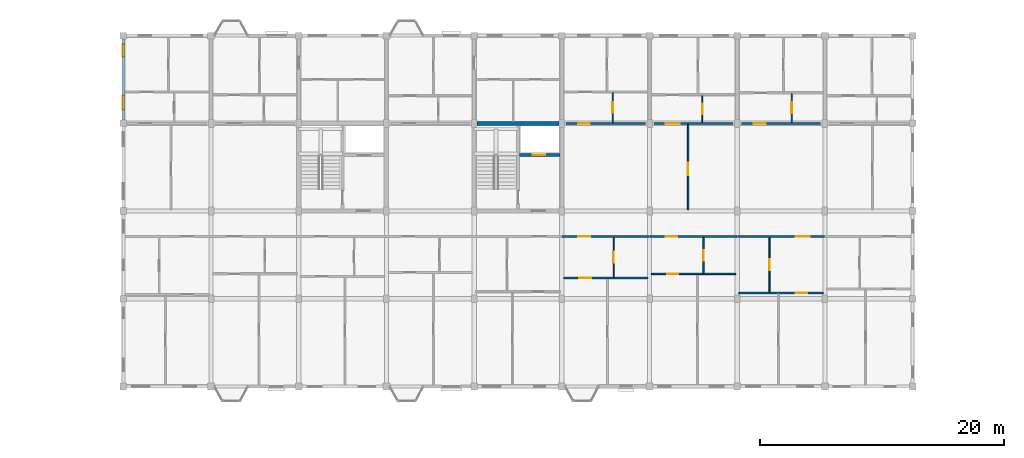
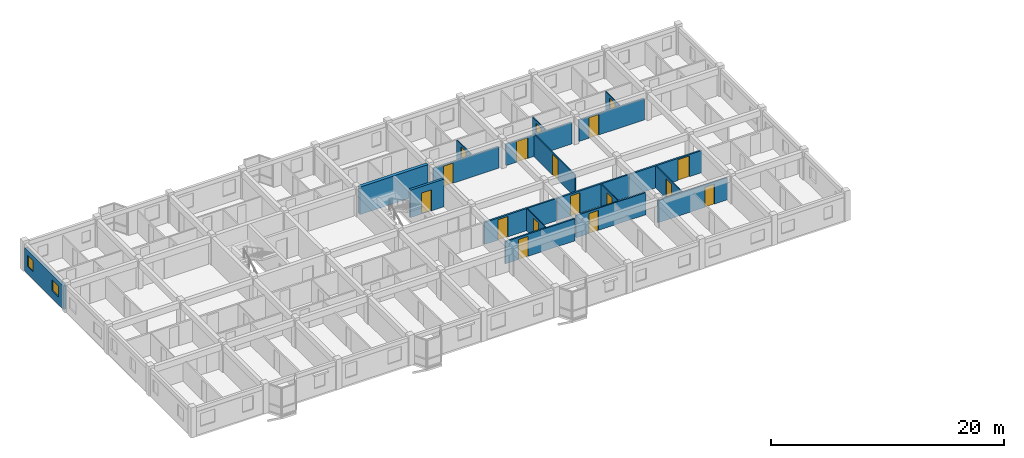
# One storey, part 68 of 77: 19 walls, 17 doors, 2 windows, 19 openings.
"""IFC4 building model written with IfcOpenShell, lengths in metres."""

from ifc_helpers import new_model, si_unit, direction, frame, frame_2d, origin, place, context, subcontext, project, spatial, rectangle, extrude, material, layer, layer_set, type_object, element, fill, save


model = new_model("IFC4")

# Units and contexts
model_context = context("Model", 3, precision=1e-05, world=origin(), true_north=direction((0.0, 1.0)))
body_context = subcontext(model_context, "Body", "Model", "MODEL_VIEW")
ifc_project = project(units=[si_unit("LENGTHUNIT", "METRE"), si_unit("AREAUNIT", "SQUARE_METRE"), si_unit("VOLUMEUNIT", "CUBIC_METRE"), si_unit("PLANEANGLEUNIT", "RADIAN"), si_unit("MASSUNIT", "GRAM", prefix="KILO"), si_unit("THERMODYNAMICTEMPERATUREUNIT", "KELVIN"), si_unit("POWERUNIT", "WATT")], contexts=[model_context])

# Site, building, storey
site_placement = place(None, origin())
site = spatial("IfcSite", under=ifc_project, at=site_placement, CompositionType="ELEMENT")
building_placement = place(site_placement, origin())
building = spatial("IfcBuilding", under=site, at=building_placement, Name="Tavuni Mirador Residences", CompositionType="ELEMENT")
storey_placement = place(building_placement, frame((0.0, 0.0, 10.800048828125)))
storey = spatial("IfcBuildingStorey", under=building, at=storey_placement, Name="L03", CompositionType="ELEMENT", Elevation=10.800048828125)

# Wall, opening, door
ifc_material_1 = material(Name="Precast concrete C40/50", Category="concrete")
ifc_layer_1 = layer(ifc_material_1, 0.25, Name="Precast concrete C40/50", Category="concrete")
ifc_layer_set_1 = layer_set([ifc_layer_1], Name="Precast concrete C40/50")
wall_type_1 = type_object("IfcWallType", Name="WT-COR250", PredefinedType="SHEAR", material=ifc_layer_set_1)
wall_1_placement = place(storey_placement, frame((43.324951171875, 163.0, 0.0), z_axis=(0.0, 0.0, 1.0), x_axis=(1.0, 0.0, 0.0)))
wall_1 = element("IfcWall", 1, at=wall_1_placement, inside=storey, type_object=wall_type_1, Name="CWALL-C6-L03-SHF", PredefinedType="SHEAR", context=body_context, shape_type="SweptSolid", body=[
    extrude(rectangle(XDim=3.31494140625, YDim=0.25, at=frame_2d((1.657470703125, 0.0))), origin(), (0.0, 0.0, 1.0), 2.885009765625),
])
opening_1_placement = place(wall_1_placement, frame((1.10009765625, 0.0, 0.0)))
opening_1 = element("IfcOpeningElement", 2, at=opening_1_placement, cuts=wall_1, Name="Opening LD-02", PredefinedType="OPENING", context=body_context, shape_type="SweptSolid", body=[
    extrude(rectangle(XDim=1.0, YDim=2.199951171875, at=frame_2d((0.5, 1.10009765625))), frame((0.0, 0.135009765625, 0.0), z_axis=(0.0, -1.0, 0.0), x_axis=(1.0, 0.0, 0.0)), (0.0, 0.0, 1.0), 0.27001953125),
])
ifc_material_2 = material(Name="Structural steel S355", Category="steel")
door_type_1 = type_object("IfcDoorType", Name="DT-LD-PAX", OperationType="SLIDING_TO_LEFT", PredefinedType="DOOR", material=ifc_material_2)
door_1_placement = place(opening_1_placement, origin())
door_1 = element("IfcDoor", 3, at=door_1_placement, inside=storey, type_object=door_type_1, Name="Lift landing door PL-C1 L03", OperationType="SLIDING_TO_LEFT", OverallHeight=2.199951171875, OverallWidth=1.0, PredefinedType="DOOR", context=body_context, shape_type="SweptSolid", body=[
    extrude(rectangle(XDim=1.0, YDim=2.199951171875, at=frame_2d((0.5, 1.10009765625))), frame((0.0, 0.02490234375, 0.0), z_axis=(0.0, -1.0, 0.0), x_axis=(1.0, 0.0, 0.0)), (0.0, 0.0, 1.0), 0.050048828125),
])
fill(opening_1, door_1)

# Wall
ifc_layer_2 = layer(ifc_material_1, 0.320068359375, Name="Precast concrete C40/50", Category="concrete")
ifc_layer_set_2 = layer_set([ifc_layer_2], Name="Precast concrete C40/50")
wall_type_2 = type_object("IfcWallType", Name="WT-COR320", PredefinedType="SHEAR", material=ifc_layer_set_2)
wall_2_placement = place(storey_placement, frame((39.824951171875, 165.60009765625, 0.0), z_axis=(0.0, 0.0, 1.0), x_axis=(1.0, 0.0, 0.0)))
element("IfcWall", 4, at=wall_2_placement, inside=storey, type_object=wall_type_2, Name="CWALL-C6-L03-N", PredefinedType="SHEAR", context=body_context, shape_type="SweptSolid", body=[
    extrude(rectangle(XDim=6.75, YDim=0.320068359375, at=frame_2d((3.375, 0.0))), origin(), (0.0, 0.0, 1.0), 2.885009765625),
])

# Wall, opening, door
ifc_layer_3 = layer(ifc_material_1, 0.1650390625, Name="Precast concrete C40/50", Category="concrete")
ifc_layer_set_3 = layer_set([ifc_layer_3], Name="Precast concrete C40/50")
wall_type_3 = type_object("IfcWallType", Name="WT-CORR165", PredefinedType="PARTITIONING", material=ifc_layer_set_3)
wall_3_placement = place(storey_placement, frame((46.820068359375, 156.300048828125, 0.0), z_axis=(0.0, 0.0, 1.0), x_axis=(1.0, 0.0, 0.0)))
wall_3 = element("IfcWall", 5, at=wall_3_placement, inside=storey, type_object=wall_type_3, Name="CORW-BLK-C-L03-0-05", PredefinedType="PARTITIONING", context=body_context, shape_type="SweptSolid", body=[
    extrude(rectangle(XDim=7.159912109375, YDim=0.1650390625, at=frame_2d((3.580078125, 0.0))), origin(), (0.0, 0.0, 1.0), 2.320068359375),
])
opening_2_placement = place(wall_3_placement, frame((1.330078125, 0.0, 0.0)))
opening_2 = element("IfcOpeningElement", 6, at=opening_2_placement, cuts=wall_3, Name="Opening D-03", PredefinedType="OPENING", context=body_context, shape_type="SweptSolid", body=[
    extrude(rectangle(XDim=1.0, YDim=2.14990234375, at=frame_2d((0.5, 1.074951171875))), frame((0.0, 0.092529296875, 0.0), z_axis=(0.0, -1.0, 0.0), x_axis=(1.0, 0.0, 0.0)), (0.0, 0.0, 1.0), 0.18505859375),
])
ifc_material_3 = material(Name="Solid core iroko timber", Category="wood")
door_type_2 = type_object("IfcDoorType", Name="DT-FD60-1000", OperationType="NOTDEFINED", PredefinedType="DOOR", material=ifc_material_3)
door_2_placement = place(opening_2_placement, origin())
door_2 = element("IfcDoor", 7, at=door_2_placement, inside=storey, type_object=door_type_2, Name="DR-2664", OperationType="SINGLE_SWING_LEFT", OverallHeight=2.14990234375, OverallWidth=1.0, PredefinedType="DOOR", context=body_context, shape_type="SweptSolid", body=[
    extrude(rectangle(XDim=1.0, YDim=2.14990234375, at=frame_2d((0.5, 1.074951171875))), frame((0.0, 0.02490234375, 0.0), z_axis=(0.0, -1.0, 0.0), x_axis=(1.0, 0.0, 0.0)), (0.0, 0.0, 1.0), 0.050048828125),
])
fill(opening_2, door_2)

wall_4_placement = place(storey_placement, frame((54.02001953125, 156.300048828125, 0.0), z_axis=(0.0, 0.0, 1.0), x_axis=(1.0, 0.0, 0.0)))
wall_4 = element("IfcWall", 8, at=wall_4_placement, inside=storey, type_object=wall_type_3, Name="CORW-BLK-C-L03-0-06", PredefinedType="PARTITIONING", context=body_context, shape_type="SweptSolid", body=[
    extrude(rectangle(XDim=7.159912109375, YDim=0.1650390625, at=frame_2d((3.580078125, 0.0))), origin(), (0.0, 0.0, 1.0), 2.320068359375),
])
opening_3_placement = place(wall_4_placement, frame((1.330078125, 0.0, 0.0)))
opening_3 = element("IfcOpeningElement", 9, at=opening_3_placement, cuts=wall_4, Name="Opening D-19", PredefinedType="OPENING", context=body_context, shape_type="SweptSolid", body=[
    extrude(rectangle(XDim=0.93994140625, YDim=2.1201171875, at=frame_2d((0.469970703125, 1.06005859375))), frame((0.0, 0.092529296875, 0.0), z_axis=(0.0, -1.0, 0.0), x_axis=(1.0, 0.0, 0.0)), (0.0, 0.0, 1.0), 0.18505859375),
])
door_type_3 = type_object("IfcDoorType", Name="DT-FD60-940", OperationType="NOTDEFINED", PredefinedType="DOOR", material=ifc_material_3)
door_3_placement = place(opening_3_placement, origin())
door_3 = element("IfcDoor", 10, at=door_3_placement, inside=storey, type_object=door_type_3, Name="DR-2665", OperationType="SINGLE_SWING_RIGHT", OverallHeight=2.1201171875, OverallWidth=0.93994140625, PredefinedType="DOOR", context=body_context, shape_type="SweptSolid", body=[
    extrude(rectangle(XDim=0.93994140625, YDim=2.1201171875, at=frame_2d((0.469970703125, 1.06005859375))), frame((0.0, 0.02490234375, 0.0), z_axis=(0.0, -1.0, 0.0), x_axis=(1.0, 0.0, 0.0)), (0.0, 0.0, 1.0), 0.050048828125),
])
fill(opening_3, door_3)

wall_5_placement = place(storey_placement, frame((61.219970703125, 156.300048828125, 0.0), z_axis=(0.0, 0.0, 1.0), x_axis=(1.0, 0.0, 0.0)))
wall_5 = element("IfcWall", 11, at=wall_5_placement, inside=storey, type_object=wall_type_3, Name="CORW-BLK-C-L03-0-07", PredefinedType="PARTITIONING", context=body_context, shape_type="SweptSolid", body=[
    extrude(rectangle(XDim=7.159912109375, YDim=0.1650390625, at=frame_2d((3.580078125, 0.0))), origin(), (0.0, 0.0, 1.0), 2.320068359375),
])
opening_4_placement = place(wall_5_placement, frame((4.780029296875, 0.0, 0.0)))
opening_4 = element("IfcOpeningElement", 12, at=opening_4_placement, cuts=wall_5, Name="Opening D-20", PredefinedType="OPENING", context=body_context, shape_type="SweptSolid", body=[
    extrude(rectangle(XDim=1.139892578125, YDim=2.179931640625, at=frame_2d((0.56982421875, 1.08984375))), frame((0.0, 0.092529296875, 0.0), z_axis=(0.0, -1.0, 0.0), x_axis=(1.0, 0.0, 0.0)), (0.0, 0.0, 1.0), 0.18505859375),
])
door_type_4 = type_object("IfcDoorType", Name="DT-FD60-1140", OperationType="NOTDEFINED", PredefinedType="DOOR", material=ifc_material_3)
door_4_placement = place(opening_4_placement, origin())
door_4 = element("IfcDoor", 13, at=door_4_placement, inside=storey, type_object=door_type_4, Name="DR-2666", OperationType="SINGLE_SWING_LEFT", OverallHeight=2.179931640625, OverallWidth=1.139892578125, PredefinedType="DOOR", context=body_context, shape_type="SweptSolid", body=[
    extrude(rectangle(XDim=1.139892578125, YDim=2.179931640625, at=frame_2d((0.56982421875, 1.08984375))), frame((0.0, 0.02490234375, 0.0), z_axis=(0.0, -1.0, 0.0), x_axis=(1.0, 0.0, 0.0)), (0.0, 0.0, 1.0), 0.050048828125),
])
fill(opening_4, door_4)

wall_6_placement = place(storey_placement, frame((47.14990234375, 165.60009765625, 0.0), z_axis=(0.0, 0.0, 1.0), x_axis=(1.0, 0.0, 0.0)))
wall_6 = element("IfcWall", 14, at=wall_6_placement, inside=storey, type_object=wall_type_3, Name="CORW-BLK-C-L03-1-05", PredefinedType="PARTITIONING", context=body_context, shape_type="SweptSolid", body=[
    extrude(rectangle(XDim=6.5, YDim=0.1650390625, at=frame_2d((3.25, 0.0))), origin(), (0.0, 0.0, 1.0), 2.23486328125),
])
opening_5_placement = place(wall_6_placement, frame((1.0, 0.0, 0.0)))
opening_5 = element("IfcOpeningElement", 15, at=opening_5_placement, cuts=wall_6, Name="Opening D-19", PredefinedType="OPENING", context=body_context, shape_type="SweptSolid", body=[
    extrude(rectangle(XDim=0.93994140625, YDim=2.1201171875, at=frame_2d((0.469970703125, 1.06005859375))), frame((0.0, 0.092529296875, 0.0), z_axis=(0.0, -1.0, 0.0), x_axis=(1.0, 0.0, 0.0)), (0.0, 0.0, 1.0), 0.18505859375),
])
door_5_placement = place(opening_5_placement, origin())
door_5 = element("IfcDoor", 16, at=door_5_placement, inside=storey, type_object=door_type_3, Name="DR-2671", OperationType="SINGLE_SWING_RIGHT", OverallHeight=2.1201171875, OverallWidth=0.93994140625, PredefinedType="DOOR", context=body_context, shape_type="SweptSolid", body=[
    extrude(rectangle(XDim=0.93994140625, YDim=2.1201171875, at=frame_2d((0.469970703125, 1.06005859375))), frame((0.0, 0.02490234375, 0.0), z_axis=(0.0, -1.0, 0.0), x_axis=(1.0, 0.0, 0.0)), (0.0, 0.0, 1.0), 0.050048828125),
])
fill(opening_5, door_5)

wall_7_placement = place(storey_placement, frame((54.35009765625, 165.60009765625, 0.0), z_axis=(0.0, 0.0, 1.0), x_axis=(1.0, 0.0, 0.0)))
wall_7 = element("IfcWall", 17, at=wall_7_placement, inside=storey, type_object=wall_type_3, Name="CORW-BLK-C-L03-1-06", PredefinedType="PARTITIONING", context=body_context, shape_type="SweptSolid", body=[
    extrude(rectangle(XDim=6.5, YDim=0.1650390625, at=frame_2d((3.25, 0.0))), origin(), (0.0, 0.0, 1.0), 2.23486328125),
])
opening_6_placement = place(wall_7_placement, frame((1.0, 0.0, 0.0)))
opening_6 = element("IfcOpeningElement", 18, at=opening_6_placement, cuts=wall_7, Name="Opening D-20", PredefinedType="OPENING", context=body_context, shape_type="SweptSolid", body=[
    extrude(rectangle(XDim=1.139892578125, YDim=2.179931640625, at=frame_2d((0.56982421875, 1.08984375))), frame((0.0, 0.092529296875, 0.0), z_axis=(0.0, -1.0, 0.0), x_axis=(1.0, 0.0, 0.0)), (0.0, 0.0, 1.0), 0.18505859375),
])
door_6_placement = place(opening_6_placement, origin())
door_6 = element("IfcDoor", 19, at=door_6_placement, inside=storey, type_object=door_type_4, Name="DR-2672", OperationType="SINGLE_SWING_LEFT", OverallHeight=2.179931640625, OverallWidth=1.139892578125, PredefinedType="DOOR", context=body_context, shape_type="SweptSolid", body=[
    extrude(rectangle(XDim=1.139892578125, YDim=2.179931640625, at=frame_2d((0.56982421875, 1.08984375))), frame((0.0, 0.02490234375, 0.0), z_axis=(0.0, -1.0, 0.0), x_axis=(1.0, 0.0, 0.0)), (0.0, 0.0, 1.0), 0.050048828125),
])
fill(opening_6, door_6)

wall_8_placement = place(storey_placement, frame((61.550048828125, 165.60009765625, 0.0), z_axis=(0.0, 0.0, 1.0), x_axis=(1.0, 0.0, 0.0)))
wall_8 = element("IfcWall", 20, at=wall_8_placement, inside=storey, type_object=wall_type_3, Name="CORW-BLK-C-L03-1-07", PredefinedType="PARTITIONING", context=body_context, shape_type="SweptSolid", body=[
    extrude(rectangle(XDim=6.5, YDim=0.1650390625, at=frame_2d((3.25, 0.0))), origin(), (0.0, 0.0, 1.0), 2.23486328125),
])
opening_7_placement = place(wall_8_placement, frame((1.0, 0.0, 0.0)))
opening_7 = element("IfcOpeningElement", 21, at=opening_7_placement, cuts=wall_8, Name="Opening D-03", PredefinedType="OPENING", context=body_context, shape_type="SweptSolid", body=[
    extrude(rectangle(XDim=1.0, YDim=2.14990234375, at=frame_2d((0.5, 1.074951171875))), frame((0.0, 0.092529296875, 0.0), z_axis=(0.0, -1.0, 0.0), x_axis=(1.0, 0.0, 0.0)), (0.0, 0.0, 1.0), 0.18505859375),
])
door_7_placement = place(opening_7_placement, origin())
door_7 = element("IfcDoor", 22, at=door_7_placement, inside=storey, type_object=door_type_2, Name="DR-2673", OperationType="SINGLE_SWING_RIGHT", OverallHeight=2.14990234375, OverallWidth=1.0, PredefinedType="DOOR", context=body_context, shape_type="SweptSolid", body=[
    extrude(rectangle(XDim=1.0, YDim=2.14990234375, at=frame_2d((0.5, 1.074951171875))), frame((0.0, 0.02490234375, 0.0), z_axis=(0.0, -1.0, 0.0), x_axis=(1.0, 0.0, 0.0)), (0.0, 0.0, 1.0), 0.050048828125),
])
fill(opening_7, door_7)

# Wall, openings, windows
ifc_material_4 = material(Name="Sgraffito lime-rendered precast concrete C40/50", Category="concrete")
ifc_layer_4 = layer(ifc_material_4, 0.2451171875, Name="Sgraffito lime-rendered precast concrete C40/50", Category="concrete")
ifc_layer_set_4 = layer_set([ifc_layer_4], Name="Sgraffito lime-rendered precast concrete C40/50")
wall_type_4 = type_object("IfcWallType", Name="WT-EXT-PC245", PredefinedType="SOLIDWALL", material=ifc_layer_set_4)
wall_9_placement = place(storey_placement, frame((10.800048828125, 172.52490234375, 0.0), z_axis=(0.0, 0.0, 1.0), x_axis=(0.0, -1.0, 0.0)))
wall_9 = element("IfcWall", 23, at=wall_9_placement, inside=storey, type_object=wall_type_4, Name="EW-BLK-C-L03-W03", PredefinedType="SOLIDWALL", context=body_context, shape_type="SweptSolid", body=[
    extrude(rectangle(XDim=6.64990234375, YDim=0.2451171875, at=frame_2d((3.324951171875, 0.0))), origin(), (0.0, 0.0, 1.0), 2.454833984375),
])
opening_8_placement = place(wall_9_placement, frame((0.449951171875, 0.0, 0.780029296875)))
opening_8 = element("IfcOpeningElement", 24, at=opening_8_placement, cuts=wall_9, Name="Opening WN-03", PredefinedType="OPENING", context=body_context, shape_type="SweptSolid", body=[
    extrude(rectangle(XDim=1.0, YDim=1.14990234375, at=frame_2d((0.5, 0.574951171875))), frame((0.0, 0.132568359375, 0.0), z_axis=(0.0, -1.0, 0.0), x_axis=(1.0, 0.0, 0.0)), (0.0, 0.0, 1.0), 0.26513671875),
])
opening_9_placement = place(wall_9_placement, frame((4.64990234375, 0.0, 0.780029296875)))
opening_9 = element("IfcOpeningElement", 25, at=opening_9_placement, cuts=wall_9, Name="Opening WN-05", PredefinedType="OPENING", context=body_context, shape_type="SweptSolid", body=[
    extrude(rectangle(XDim=1.159912109375, YDim=1.14990234375, at=frame_2d((0.580078125, 0.574951171875))), frame((0.0, 0.132568359375, 0.0), z_axis=(0.0, -1.0, 0.0), x_axis=(1.0, 0.0, 0.0)), (0.0, 0.0, 1.0), 0.26513671875),
])
ifc_material_5 = material(Name="Laminated solar-control glass", Category="glass")
window_type_1 = type_object("IfcWindowType", Name="WNT-03", PartitioningType="SINGLE_PANEL", PredefinedType="WINDOW", material=ifc_material_5)
window_1_placement = place(opening_8_placement, origin())
window_1 = element("IfcWindow", 26, at=window_1_placement, inside=storey, type_object=window_type_1, Name="WIN-0989", OverallHeight=1.14990234375, OverallWidth=1.0, PartitioningType="SINGLE_PANEL", PredefinedType="WINDOW", context=body_context, shape_type="SweptSolid", body=[
    extrude(rectangle(XDim=1.0, YDim=1.14990234375, at=frame_2d((0.5, 0.574951171875))), frame((0.0, 0.030029296875, 0.0), z_axis=(0.0, -1.0, 0.0), x_axis=(1.0, 0.0, 0.0)), (0.0, 0.0, 1.0), 0.06005859375),
])
fill(opening_8, window_1)
window_type_2 = type_object("IfcWindowType", Name="WNT-05", PartitioningType="SINGLE_PANEL", PredefinedType="WINDOW", material=ifc_material_5)
window_2_placement = place(opening_9_placement, origin())
window_2 = element("IfcWindow", 27, at=window_2_placement, inside=storey, type_object=window_type_2, Name="WIN-0990", OverallHeight=1.14990234375, OverallWidth=1.159912109375, PartitioningType="SINGLE_PANEL", PredefinedType="WINDOW", context=body_context, shape_type="SweptSolid", body=[
    extrude(rectangle(XDim=1.159912109375, YDim=1.14990234375, at=frame_2d((0.580078125, 0.574951171875))), frame((0.0, 0.030029296875, 0.0), z_axis=(0.0, -1.0, 0.0), x_axis=(1.0, 0.0, 0.0)), (0.0, 0.0, 1.0), 0.06005859375),
])
fill(opening_9, window_2)

# Wall, opening, door
ifc_material_6 = material(Name="Acoustic gypsum and concrete block partition", Category="concrete")
ifc_layer_5 = layer(ifc_material_6, 0.094970703125, Name="Acoustic gypsum and concrete block partition", Category="concrete")
ifc_layer_set_5 = layer_set([ifc_layer_5], Name="Acoustic gypsum and concrete block partition")
wall_type_5 = type_object("IfcWallType", Name="WT-PART095", PredefinedType="PARTITIONING", material=ifc_layer_set_5)
wall_10_placement = place(storey_placement, frame((51.050048828125, 152.969970703125, 0.0), z_axis=(0.0, 0.0, 1.0), x_axis=(0.0, 1.0, 0.0)))
wall_10 = element("IfcWall", 28, at=wall_10_placement, inside=storey, type_object=wall_type_5, Name="PW-BLK-C-L03-S05-IN1", PredefinedType="PARTITIONING", context=body_context, shape_type="SweptSolid", body=[
    extrude(rectangle(XDim=3.239990234375, YDim=0.094970703125, at=frame_2d((1.6201171875, 0.0))), origin(), (0.0, 0.0, 1.0), 2.320068359375),
])
opening_10_placement = place(wall_10_placement, frame((1.169921875, 0.0, 0.0)))
opening_10 = element("IfcOpeningElement", 29, at=opening_10_placement, cuts=wall_10, Name="Opening D-09", PredefinedType="OPENING", context=body_context, shape_type="SweptSolid", body=[
    extrude(rectangle(XDim=0.89990234375, YDim=2.050048828125, at=frame_2d((0.449951171875, 1.02490234375))), frame((0.0, 0.0576171875, 0.0), z_axis=(0.0, -1.0, 0.0), x_axis=(1.0, 0.0, 0.0)), (0.0, 0.0, 1.0), 0.114990234375),
])
door_type_5 = type_object("IfcDoorType", Name="DT-WC900", OperationType="NOTDEFINED", PredefinedType="DOOR", material=ifc_material_3)
door_8_placement = place(opening_10_placement, origin())
door_8 = element("IfcDoor", 30, at=door_8_placement, inside=storey, type_object=door_type_5, Name="DR-3825", OperationType="SINGLE_SWING_LEFT", OverallHeight=2.050048828125, OverallWidth=0.89990234375, PredefinedType="DOOR", context=body_context, shape_type="SweptSolid", body=[
    extrude(rectangle(XDim=0.89990234375, YDim=2.050048828125, at=frame_2d((0.449951171875, 1.02490234375))), frame((0.0, 0.02490234375, 0.0), z_axis=(0.0, -1.0, 0.0), x_axis=(1.0, 0.0, 0.0)), (0.0, 0.0, 1.0), 0.050048828125),
])
fill(opening_10, door_8)

wall_11_placement = place(storey_placement, frame((58.340087890625, 165.68994140625, 0.0), z_axis=(0.0, 0.0, 1.0), x_axis=(0.0, 1.0, 0.0)))
wall_11 = element("IfcWall", 31, at=wall_11_placement, inside=storey, type_object=wall_type_5, Name="PW-BLK-C-L03-N06-IN1", PredefinedType="PARTITIONING", context=body_context, shape_type="SweptSolid", body=[
    extrude(rectangle(XDim=2.18017578125, YDim=0.094970703125, at=frame_2d((1.090087890625, 0.0))), origin(), (0.0, 0.0, 1.0), 2.320068359375),
])
opening_11_placement = place(wall_11_placement, frame((0.655029296875, 0.0, 0.0)))
opening_11 = element("IfcOpeningElement", 32, at=opening_11_placement, cuts=wall_11, Name="Opening D-10", PredefinedType="OPENING", context=body_context, shape_type="SweptSolid", body=[
    extrude(rectangle(XDim=0.8701171875, YDim=2.050048828125, at=frame_2d((0.43505859375, 1.02490234375))), frame((0.0, 0.0576171875, 0.0), z_axis=(0.0, -1.0, 0.0), x_axis=(1.0, 0.0, 0.0)), (0.0, 0.0, 1.0), 0.114990234375),
])
door_type_6 = type_object("IfcDoorType", Name="DT-WC870", OperationType="NOTDEFINED", PredefinedType="DOOR", material=ifc_material_3)
door_9_placement = place(opening_11_placement, origin())
door_9 = element("IfcDoor", 33, at=door_9_placement, inside=storey, type_object=door_type_6, Name="DR-3835", OperationType="SINGLE_SWING_RIGHT", OverallHeight=2.050048828125, OverallWidth=0.8701171875, PredefinedType="DOOR", context=body_context, shape_type="SweptSolid", body=[
    extrude(rectangle(XDim=0.8701171875, YDim=2.050048828125, at=frame_2d((0.43505859375, 1.02490234375))), frame((0.0, 0.02490234375, 0.0), z_axis=(0.0, -1.0, 0.0), x_axis=(1.0, 0.0, 0.0)), (0.0, 0.0, 1.0), 0.050048828125),
])
fill(opening_11, door_9)

wall_12_placement = place(storey_placement, frame((65.679931640625, 165.68994140625, 0.0), z_axis=(0.0, 0.0, 1.0), x_axis=(0.0, 1.0, 0.0)))
wall_12 = element("IfcWall", 34, at=wall_12_placement, inside=storey, type_object=wall_type_5, Name="PW-BLK-C-L03-N07-IN1", PredefinedType="PARTITIONING", context=body_context, shape_type="SweptSolid", body=[
    extrude(rectangle(XDim=2.340087890625, YDim=0.094970703125, at=frame_2d((1.169921875, 0.0))), origin(), (0.0, 0.0, 1.0), 2.320068359375),
])
opening_12_placement = place(wall_12_placement, frame((0.719970703125, 0.0, 0.0)))
opening_12 = element("IfcOpeningElement", 35, at=opening_12_placement, cuts=wall_12, Name="Opening D-09", PredefinedType="OPENING", context=body_context, shape_type="SweptSolid", body=[
    extrude(rectangle(XDim=0.89990234375, YDim=2.050048828125, at=frame_2d((0.449951171875, 1.02490234375))), frame((0.0, 0.0576171875, 0.0), z_axis=(0.0, -1.0, 0.0), x_axis=(1.0, 0.0, 0.0)), (0.0, 0.0, 1.0), 0.114990234375),
])
door_10_placement = place(opening_12_placement, origin())
door_10 = element("IfcDoor", 36, at=door_10_placement, inside=storey, type_object=door_type_5, Name="DR-3841", OperationType="SINGLE_SWING_LEFT", OverallHeight=2.050048828125, OverallWidth=0.89990234375, PredefinedType="DOOR", context=body_context, shape_type="SweptSolid", body=[
    extrude(rectangle(XDim=0.89990234375, YDim=2.050048828125, at=frame_2d((0.449951171875, 1.02490234375))), frame((0.0, 0.02490234375, 0.0), z_axis=(0.0, -1.0, 0.0), x_axis=(1.0, 0.0, 0.0)), (0.0, 0.0, 1.0), 0.050048828125),
])
fill(opening_12, door_10)

ifc_layer_6 = layer(ifc_material_6, 0.10498046875, Name="Acoustic gypsum and concrete block partition", Category="concrete")
ifc_layer_set_6 = layer_set([ifc_layer_6], Name="Acoustic gypsum and concrete block partition")
wall_type_6 = type_object("IfcWallType", Name="WT-PART105", PredefinedType="PARTITIONING", material=ifc_layer_set_6)
wall_13_placement = place(storey_placement, frame((50.97998046875, 165.68994140625, 0.0), z_axis=(0.0, 0.0, 1.0), x_axis=(0.0, 1.0, 0.0)))
wall_13 = element("IfcWall", 37, at=wall_13_placement, inside=storey, type_object=wall_type_6, Name="PW-BLK-C-L03-N05-IN1", PredefinedType="PARTITIONING", context=body_context, shape_type="SweptSolid", body=[
    extrude(rectangle(XDim=2.420166015625, YDim=0.10498046875, at=frame_2d((1.2099609375, 0.0))), origin(), (0.0, 0.0, 1.0), 2.320068359375),
])
opening_13_placement = place(wall_13_placement, frame((0.760009765625, 0.0, 0.0)))
opening_13 = element("IfcOpeningElement", 38, at=opening_13_placement, cuts=wall_13, Name="Opening D-09", PredefinedType="OPENING", context=body_context, shape_type="SweptSolid", body=[
    extrude(rectangle(XDim=0.89990234375, YDim=2.050048828125, at=frame_2d((0.449951171875, 1.02490234375))), frame((0.0, 0.0625, 0.0), z_axis=(0.0, -1.0, 0.0), x_axis=(1.0, 0.0, 0.0)), (0.0, 0.0, 1.0), 0.125),
])
door_11_placement = place(opening_13_placement, origin())
door_11 = element("IfcDoor", 39, at=door_11_placement, inside=storey, type_object=door_type_5, Name="DR-3828", OperationType="SINGLE_SWING_LEFT", OverallHeight=2.050048828125, OverallWidth=0.89990234375, PredefinedType="DOOR", context=body_context, shape_type="SweptSolid", body=[
    extrude(rectangle(XDim=0.89990234375, YDim=2.050048828125, at=frame_2d((0.449951171875, 1.02490234375))), frame((0.0, 0.02490234375, 0.0), z_axis=(0.0, -1.0, 0.0), x_axis=(1.0, 0.0, 0.0)), (0.0, 0.0, 1.0), 0.050048828125),
])
fill(opening_13, door_11)

wall_14_placement = place(storey_placement, frame((58.419921875, 153.31005859375, 0.0), z_axis=(0.0, 0.0, 1.0), x_axis=(0.0, 1.0, 0.0)))
wall_14 = element("IfcWall", 40, at=wall_14_placement, inside=storey, type_object=wall_type_6, Name="PW-BLK-C-L03-S06-IN1", PredefinedType="PARTITIONING", context=body_context, shape_type="SweptSolid", body=[
    extrude(rectangle(XDim=2.89990234375, YDim=0.10498046875, at=frame_2d((1.449951171875, 0.0))), origin(), (0.0, 0.0, 1.0), 2.320068359375),
])
opening_14_placement = place(wall_14_placement, frame((1.014892578125, 0.0, 0.0)))
opening_14 = element("IfcOpeningElement", 41, at=opening_14_placement, cuts=wall_14, Name="Opening D-10", PredefinedType="OPENING", context=body_context, shape_type="SweptSolid", body=[
    extrude(rectangle(XDim=0.8701171875, YDim=2.050048828125, at=frame_2d((0.43505859375, 1.02490234375))), frame((0.0, 0.0625, 0.0), z_axis=(0.0, -1.0, 0.0), x_axis=(1.0, 0.0, 0.0)), (0.0, 0.0, 1.0), 0.125),
])
door_12_placement = place(opening_14_placement, origin())
door_12 = element("IfcDoor", 42, at=door_12_placement, inside=storey, type_object=door_type_6, Name="DR-3832", OperationType="SINGLE_SWING_RIGHT", OverallHeight=2.050048828125, OverallWidth=0.8701171875, PredefinedType="DOOR", context=body_context, shape_type="SweptSolid", body=[
    extrude(rectangle(XDim=0.8701171875, YDim=2.050048828125, at=frame_2d((0.43505859375, 1.02490234375))), frame((0.0, 0.02490234375, 0.0), z_axis=(0.0, -1.0, 0.0), x_axis=(1.0, 0.0, 0.0)), (0.0, 0.0, 1.0), 0.050048828125),
])
fill(opening_14, door_12)

wall_15_placement = place(storey_placement, frame((63.85009765625, 151.739990234375, 0.0), z_axis=(0.0, 0.0, 1.0), x_axis=(0.0, 1.0, 0.0)))
wall_15 = element("IfcWall", 43, at=wall_15_placement, inside=storey, type_object=wall_type_6, Name="PW-BLK-C-L03-S07-IN1", PredefinedType="PARTITIONING", context=body_context, shape_type="SweptSolid", body=[
    extrude(rectangle(XDim=4.469970703125, YDim=0.10498046875, at=frame_2d((2.23486328125, 0.0))), origin(), (0.0, 0.0, 1.0), 2.320068359375),
])
opening_15_placement = place(wall_15_placement, frame((1.784912109375, 0.0, 0.0)))
opening_15 = element("IfcOpeningElement", 44, at=opening_15_placement, cuts=wall_15, Name="Opening D-09", PredefinedType="OPENING", context=body_context, shape_type="SweptSolid", body=[
    extrude(rectangle(XDim=0.89990234375, YDim=2.050048828125, at=frame_2d((0.449951171875, 1.02490234375))), frame((0.0, 0.0625, 0.0), z_axis=(0.0, -1.0, 0.0), x_axis=(1.0, 0.0, 0.0)), (0.0, 0.0, 1.0), 0.125),
])
door_13_placement = place(opening_15_placement, origin())
door_13 = element("IfcDoor", 45, at=door_13_placement, inside=storey, type_object=door_type_5, Name="DR-3838", OperationType="SINGLE_SWING_LEFT", OverallHeight=2.050048828125, OverallWidth=0.89990234375, PredefinedType="DOOR", context=body_context, shape_type="SweptSolid", body=[
    extrude(rectangle(XDim=0.89990234375, YDim=2.050048828125, at=frame_2d((0.449951171875, 1.02490234375))), frame((0.0, 0.02490234375, 0.0), z_axis=(0.0, -1.0, 0.0), x_axis=(1.0, 0.0, 0.0)), (0.0, 0.0, 1.0), 0.050048828125),
])
fill(opening_15, door_13)

ifc_layer_7 = layer(ifc_material_6, 0.125, Name="Acoustic gypsum and concrete block partition", Category="concrete")
ifc_layer_set_7 = layer_set([ifc_layer_7], Name="Acoustic gypsum and concrete block partition")
wall_type_7 = type_object("IfcWallType", Name="WT-PART125", PredefinedType="PARTITIONING", material=ifc_layer_set_7)
wall_16_placement = place(storey_placement, frame((57.159912109375, 158.489990234375, 0.0), z_axis=(0.0, 0.0, 1.0), x_axis=(0.0, 1.0, 0.0)))
wall_16 = element("IfcWall", 46, at=wall_16_placement, inside=storey, type_object=wall_type_7, Name="PW-SPN-BLK-C-L03-06", PredefinedType="PARTITIONING", context=body_context, shape_type="SweptSolid", body=[
    extrude(rectangle(XDim=7.02001953125, YDim=0.125, at=frame_2d((3.510009765625, 0.0))), origin(), (0.0, 0.0, 1.0), 2.320068359375),
])
opening_16_placement = place(wall_16_placement, frame((2.85009765625, 0.0, 0.0)))
opening_16 = element("IfcOpeningElement", 47, at=opening_16_placement, cuts=wall_16, Name="Opening D-13", PredefinedType="OPENING", context=body_context, shape_type="SweptSolid", body=[
    extrude(rectangle(XDim=1.02001953125, YDim=2.14990234375, at=frame_2d((0.510009765625, 1.074951171875))), frame((0.0, 0.072509765625, 0.0), z_axis=(0.0, -1.0, 0.0), x_axis=(1.0, 0.0, 0.0)), (0.0, 0.0, 1.0), 0.14501953125),
])
door_type_7 = type_object("IfcDoorType", Name="DT-MTG1020", OperationType="NOTDEFINED", PredefinedType="DOOR", material=ifc_material_3)
door_14_placement = place(opening_16_placement, origin())
door_14 = element("IfcDoor", 48, at=door_14_placement, inside=storey, type_object=door_type_7, Name="DR-3830", OperationType="SINGLE_SWING_RIGHT", OverallHeight=2.14990234375, OverallWidth=1.02001953125, PredefinedType="DOOR", context=body_context, shape_type="SweptSolid", body=[
    extrude(rectangle(XDim=1.02001953125, YDim=2.14990234375, at=frame_2d((0.510009765625, 1.074951171875))), frame((0.0, 0.02490234375, 0.0), z_axis=(0.0, -1.0, 0.0), x_axis=(1.0, 0.0, 0.0)), (0.0, 0.0, 1.0), 0.050048828125),
])
fill(opening_16, door_14)

ifc_layer_8 = layer(ifc_material_6, 0.139892578125, Name="Acoustic gypsum and concrete block partition", Category="concrete")
ifc_layer_set_8 = layer_set([ifc_layer_8], Name="Acoustic gypsum and concrete block partition")
wall_type_8 = type_object("IfcWallType", Name="WT-PART140", PredefinedType="PARTITIONING", material=ifc_layer_set_8)
wall_17_placement = place(storey_placement, frame((54.139892578125, 153.239990234375, 0.0), z_axis=(0.0, 0.0, 1.0), x_axis=(1.0, 0.0, 0.0)))
wall_17 = element("IfcWall", 49, at=wall_17_placement, inside=storey, type_object=wall_type_8, Name="PW-BLK-C-L03-S06-MID", PredefinedType="PARTITIONING", context=body_context, shape_type="SweptSolid", body=[
    extrude(rectangle(XDim=6.920166015625, YDim=0.139892578125, at=frame_2d((3.4599609375, 0.0))), origin(), (0.0, 0.0, 1.0), 2.320068359375),
])
opening_17_placement = place(wall_17_placement, frame((1.31005859375, 0.0, 0.0)))
opening_17 = element("IfcOpeningElement", 50, at=opening_17_placement, cuts=wall_17, Name="Opening D-06", PredefinedType="OPENING", context=body_context, shape_type="SweptSolid", body=[
    extrude(rectangle(XDim=0.919921875, YDim=2.10009765625, at=frame_2d((0.4599609375, 1.050048828125))), frame((0.0, 0.080078125, 0.0), z_axis=(0.0, -1.0, 0.0), x_axis=(1.0, 0.0, 0.0)), (0.0, 0.0, 1.0), 0.159912109375),
])
door_type_8 = type_object("IfcDoorType", Name="DT-INT920", OperationType="NOTDEFINED", PredefinedType="DOOR", material=ifc_material_3)
door_15_placement = place(opening_17_placement, origin())
door_15 = element("IfcDoor", 51, at=door_15_placement, inside=storey, type_object=door_type_8, Name="DR-3833", OperationType="SINGLE_SWING_RIGHT", OverallHeight=2.10009765625, OverallWidth=0.919921875, PredefinedType="DOOR", context=body_context, shape_type="SweptSolid", body=[
    extrude(rectangle(XDim=0.919921875, YDim=2.10009765625, at=frame_2d((0.4599609375, 1.050048828125))), frame((0.0, 0.02490234375, 0.0), z_axis=(0.0, -1.0, 0.0), x_axis=(1.0, 0.0, 0.0)), (0.0, 0.0, 1.0), 0.050048828125),
])
fill(opening_17, door_15)

wall_18_placement = place(storey_placement, frame((61.340087890625, 151.669921875, 0.0), z_axis=(0.0, 0.0, 1.0), x_axis=(1.0, 0.0, 0.0)))
wall_18 = element("IfcWall", 52, at=wall_18_placement, inside=storey, type_object=wall_type_8, Name="PW-BLK-C-L03-S07-MID", PredefinedType="PARTITIONING", context=body_context, shape_type="SweptSolid", body=[
    extrude(rectangle(XDim=6.919921875, YDim=0.139892578125, at=frame_2d((3.4599609375, 0.0))), origin(), (0.0, 0.0, 1.0), 2.320068359375),
])
opening_18_placement = place(wall_18_placement, frame((4.659912109375, 0.0, 0.0)))
opening_18 = element("IfcOpeningElement", 53, at=opening_18_placement, cuts=wall_18, Name="Opening D-05", PredefinedType="OPENING", context=body_context, shape_type="SweptSolid", body=[
    extrude(rectangle(XDim=0.949951171875, YDim=2.10009765625, at=frame_2d((0.47509765625, 1.050048828125))), frame((0.0, 0.080078125, 0.0), z_axis=(0.0, -1.0, 0.0), x_axis=(1.0, 0.0, 0.0)), (0.0, 0.0, 1.0), 0.159912109375),
])
door_type_9 = type_object("IfcDoorType", Name="DT-INT950", OperationType="NOTDEFINED", PredefinedType="DOOR", material=ifc_material_3)
door_16_placement = place(opening_18_placement, origin())
door_16 = element("IfcDoor", 54, at=door_16_placement, inside=storey, type_object=door_type_9, Name="DR-3839", OperationType="SINGLE_SWING_LEFT", OverallHeight=2.10009765625, OverallWidth=0.949951171875, PredefinedType="DOOR", context=body_context, shape_type="SweptSolid", body=[
    extrude(rectangle(XDim=0.949951171875, YDim=2.10009765625, at=frame_2d((0.47509765625, 1.050048828125))), frame((0.0, 0.02490234375, 0.0), z_axis=(0.0, -1.0, 0.0), x_axis=(1.0, 0.0, 0.0)), (0.0, 0.0, 1.0), 0.050048828125),
])
fill(opening_18, door_16)

ifc_layer_9 = layer(ifc_material_6, 0.14990234375, Name="Acoustic gypsum and concrete block partition", Category="concrete")
ifc_layer_set_9 = layer_set([ifc_layer_9], Name="Acoustic gypsum and concrete block partition")
wall_type_9 = type_object("IfcWallType", Name="WT-PART150", PredefinedType="PARTITIONING", material=ifc_layer_set_9)
wall_19_placement = place(storey_placement, frame((46.93994140625, 152.89990234375, 0.0), z_axis=(0.0, 0.0, 1.0), x_axis=(1.0, 0.0, 0.0)))
wall_19 = element("IfcWall", 55, at=wall_19_placement, inside=storey, type_object=wall_type_9, Name="PW-BLK-C-L03-S05-MID", PredefinedType="PARTITIONING", context=body_context, shape_type="SweptSolid", body=[
    extrude(rectangle(XDim=6.920166015625, YDim=0.14990234375, at=frame_2d((3.4599609375, 0.0))), origin(), (0.0, 0.0, 1.0), 2.320068359375),
])
opening_19_placement = place(wall_19_placement, frame((1.31005859375, 0.0, 0.0)))
opening_19 = element("IfcOpeningElement", 56, at=opening_19_placement, cuts=wall_19, Name="Opening D-05", PredefinedType="OPENING", context=body_context, shape_type="SweptSolid", body=[
    extrude(rectangle(XDim=0.949951171875, YDim=2.10009765625, at=frame_2d((0.47509765625, 1.050048828125))), frame((0.0, 0.0849609375, 0.0), z_axis=(0.0, -1.0, 0.0), x_axis=(1.0, 0.0, 0.0)), (0.0, 0.0, 1.0), 0.169921875),
])
door_17_placement = place(opening_19_placement, origin())
door_17 = element("IfcDoor", 57, at=door_17_placement, inside=storey, type_object=door_type_9, Name="DR-3826", OperationType="SINGLE_SWING_LEFT", OverallHeight=2.10009765625, OverallWidth=0.949951171875, PredefinedType="DOOR", context=body_context, shape_type="SweptSolid", body=[
    extrude(rectangle(XDim=0.949951171875, YDim=2.10009765625, at=frame_2d((0.47509765625, 1.050048828125))), frame((0.0, 0.02490234375, 0.0), z_axis=(0.0, -1.0, 0.0), x_axis=(1.0, 0.0, 0.0)), (0.0, 0.0, 1.0), 0.050048828125),
])
fill(opening_19, door_17)

save(model, "model.ifc")
